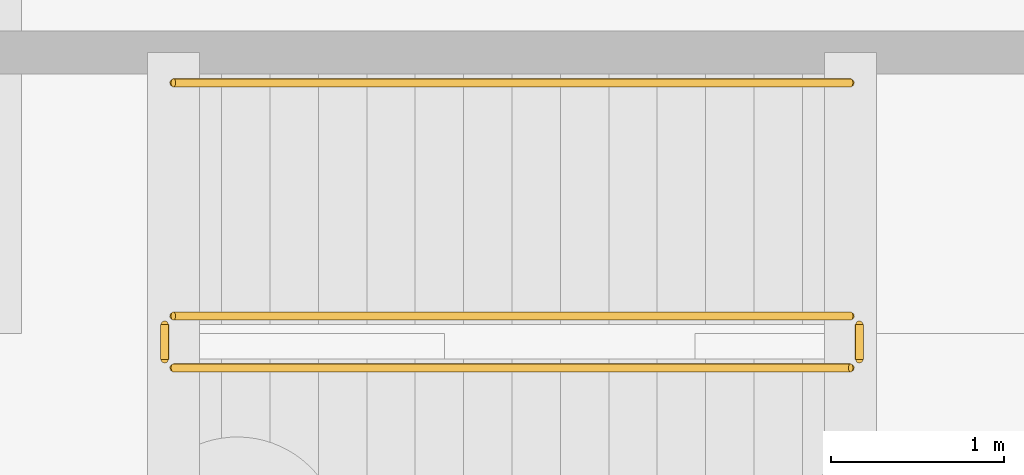
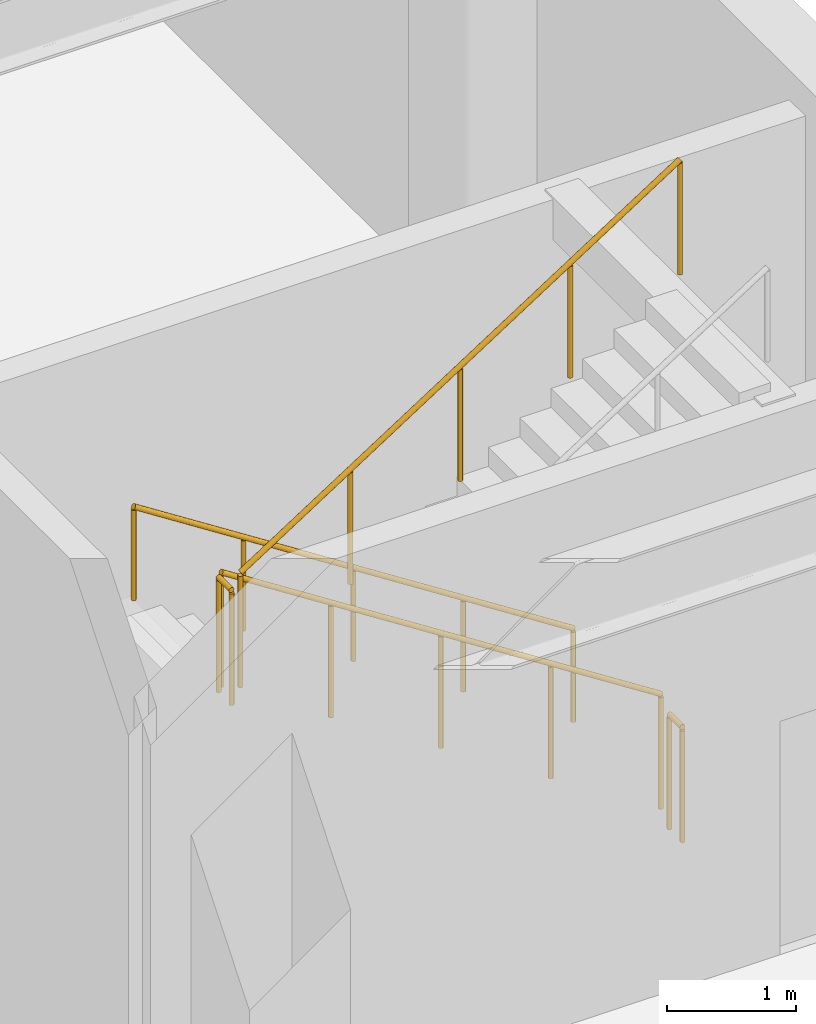
# One storey, part 53 of 55: 5 railings.
"""IFC4 building model written with IfcOpenShell, lengths in metres."""

from ifc_helpers import new_model, si_unit, direction, frame, origin, origin_2d, place, context, subcontext, project, spatial, circle, extrude, material, type_object, element, save


model = new_model("IFC4")

# Units and contexts
model_context = context("Model", 3, precision=1e-05, world=origin(), true_north=direction((0.0, 1.0)))
body_context = subcontext(model_context, "Body", "Model", "MODEL_VIEW")
ifc_project = project(units=[si_unit("LENGTHUNIT", "METRE"), si_unit("AREAUNIT", "SQUARE_METRE"), si_unit("VOLUMEUNIT", "CUBIC_METRE"), si_unit("PLANEANGLEUNIT", "RADIAN"), si_unit("MASSUNIT", "GRAM", prefix="KILO")], contexts=[model_context])

# Site, building, storey
site_placement = place(None, origin())
site = spatial("IfcSite", under=ifc_project, at=site_placement, CompositionType="ELEMENT")
building_placement = place(site_placement, origin())
building = spatial("IfcBuilding", under=site, at=building_placement, Name="Kazehara Bluff Congress Hotel", CompositionType="ELEMENT")
storey_placement = place(building_placement, frame((0.0, 0.0, -5.39990234375)))
storey = spatial("IfcBuildingStorey", under=building, at=storey_placement, Name="B1", CompositionType="ELEMENT", Elevation=-5.39990234375)

# Railings
ifc_material_1 = material(Name="Brushed stainless steel", Category="steel")
railing_type_1 = type_object("IfcRailingType", Name="TP-GRD-INT", PredefinedType="GUARDRAIL", material=ifc_material_1)
railing_1_placement = place(storey_placement, frame((165.64990234375, 74.89990234375, 0.179931640625)))
element("IfcRailing", 1, at=railing_1_placement, inside=storey, type_object=railing_type_1, Name="B1 ST-12 stair guard 1", PredefinedType="GUARDRAIL", context=body_context, shape_type="SweptSolid", body=[
    extrude(circle(Radius=0.02392578125, at=origin_2d()), frame((0.0, 0.0, 1.076171875), z_axis=(-0.841171666519, 0.0, 0.540768182723), x_axis=(0.0, -1.0, 0.0)), (0.0, 0.0, 1.0), 4.66015625),
    extrude(circle(Radius=0.02099609375, at=origin_2d()), origin(), (0.0, 0.0, 1.0), 1.052001953125),
    extrude(circle(Radius=0.02099609375, at=origin_2d()), frame((-0.97998046875, 0.0, 0.6298828125)), (0.0, 0.0, 1.0), 1.052001953125),
    extrude(circle(Radius=0.02099609375, at=origin_2d()), frame((-1.9599609375, 0.0, 1.260009765625)), (0.0, 0.0, 1.0), 1.052001953125),
    extrude(circle(Radius=0.02099609375, at=origin_2d()), frame((-2.93994140625, 0.0, 1.89013671875)), (0.0, 0.0, 1.0), 1.052001953125),
    extrude(circle(Radius=0.02099609375, at=origin_2d()), frame((-3.919921875, 0.0, 2.52001953125)), (0.0, 0.0, 1.0), 1.052001953125),
])
railing_2_placement = place(storey_placement, frame((161.679931640625, 74.85009765625, 2.699951171875)))
element("IfcRailing", 2, at=railing_2_placement, inside=storey, type_object=railing_type_1, Name="B1 ST-12 stair guard 2", PredefinedType="GUARDRAIL", context=body_context, shape_type="SweptSolid", body=[
    extrude(circle(Radius=0.02392578125, at=origin_2d()), frame((0.0, 0.0, 1.076171875), z_axis=(0.0, -1.0, 0.0), x_axis=(1.0, 0.0, 0.0)), (0.0, 0.0, 1.0), 0.2001953125),
    extrude(circle(Radius=0.02099609375, at=origin_2d()), origin(), (0.0, 0.0, 1.0), 1.052001953125),
    extrude(circle(Radius=0.02099609375, at=origin_2d()), frame((0.0, -0.2001953125, 0.0)), (0.0, 0.0, 1.0), 1.052001953125),
])
railing_3_placement = place(storey_placement, frame((161.72998046875, 74.60009765625, 2.8798828125)))
element("IfcRailing", 3, at=railing_3_placement, inside=storey, type_object=railing_type_1, Name="B1 ST-12 stair guard 3", PredefinedType="GUARDRAIL", context=body_context, shape_type="SweptSolid", body=[
    extrude(circle(Radius=0.02392578125, at=origin_2d()), frame((0.0, 0.0, 1.076171875), z_axis=(0.841171666519, 0.0, 0.540768182723), x_axis=(0.0, 1.0, 0.0)), (0.0, 0.0, 1.0), 4.66015625),
    extrude(circle(Radius=0.02099609375, at=origin_2d()), origin(), (0.0, 0.0, 1.0), 1.052001953125),
    extrude(circle(Radius=0.02099609375, at=origin_2d()), frame((0.97998046875, 0.0, 0.6298828125)), (0.0, 0.0, 1.0), 1.052001953125),
    extrude(circle(Radius=0.02099609375, at=origin_2d()), frame((1.9599609375, 0.0, 1.260009765625)), (0.0, 0.0, 1.0), 1.052001953125),
    extrude(circle(Radius=0.02099609375, at=origin_2d()), frame((2.93994140625, 0.0, 1.89013671875)), (0.0, 0.0, 1.0), 1.052001953125),
    extrude(circle(Radius=0.02099609375, at=origin_2d()), frame((3.919921875, 0.0, 2.52001953125)), (0.0, 0.0, 1.0), 1.052001953125),
])
railing_4_placement = place(storey_placement, frame((165.699951171875, 74.85009765625, 0.0)))
element("IfcRailing", 4, at=railing_4_placement, inside=storey, type_object=railing_type_1, Name="B1 ST-12 stair guard 4", PredefinedType="GUARDRAIL", context=body_context, shape_type="SweptSolid", body=[
    extrude(circle(Radius=0.02392578125, at=origin_2d()), frame((0.0, 0.0, 1.076171875), z_axis=(0.0, -1.0, 0.0), x_axis=(1.0, 0.0, 0.0)), (0.0, 0.0, 1.0), 0.2001953125),
    extrude(circle(Radius=0.02099609375, at=origin_2d()), origin(), (0.0, 0.0, 1.0), 1.052001953125),
    extrude(circle(Radius=0.02099609375, at=origin_2d()), frame((0.0, -0.2001953125, 0.0)), (0.0, 0.0, 1.0), 1.052001953125),
])
ifc_material_2 = material(Name="Brushed stainless steel", Category="steel")
railing_type_2 = type_object("IfcRailingType", Name="TP-HR-INT", PredefinedType="HANDRAIL", material=ifc_material_2)
railing_5_placement = place(storey_placement, frame((165.64990234375, 76.25, 0.179931640625)))
element("IfcRailing", 5, at=railing_5_placement, inside=storey, type_object=railing_type_2, Name="B1 ST-12 stair handrail 1", PredefinedType="HANDRAIL", context=body_context, shape_type="SweptSolid", body=[
    extrude(circle(Radius=0.02392578125, at=origin_2d()), frame((0.0, 0.0, 0.8759765625), z_axis=(-0.841171666519, 0.0, 0.540768182723), x_axis=(0.0, -1.0, 0.0)), (0.0, 0.0, 1.0), 4.66015625),
    extrude(circle(Radius=0.02099609375, at=origin_2d()), origin(), (0.0, 0.0, 1.0), 0.851806640625),
    extrude(circle(Radius=0.02099609375, at=origin_2d()), frame((-0.97998046875, 0.0, 0.6298828125)), (0.0, 0.0, 1.0), 0.851806640625),
    extrude(circle(Radius=0.02099609375, at=origin_2d()), frame((-1.9599609375, 0.0, 1.260009765625)), (0.0, 0.0, 1.0), 0.851806640625),
    extrude(circle(Radius=0.02099609375, at=origin_2d()), frame((-2.93994140625, 0.0, 1.89013671875)), (0.0, 0.0, 1.0), 0.851806640625),
    extrude(circle(Radius=0.02099609375, at=origin_2d()), frame((-3.919921875, 0.0, 2.52001953125)), (0.0, 0.0, 1.0), 0.851806640625),
])

save(model, "model.ifc")
